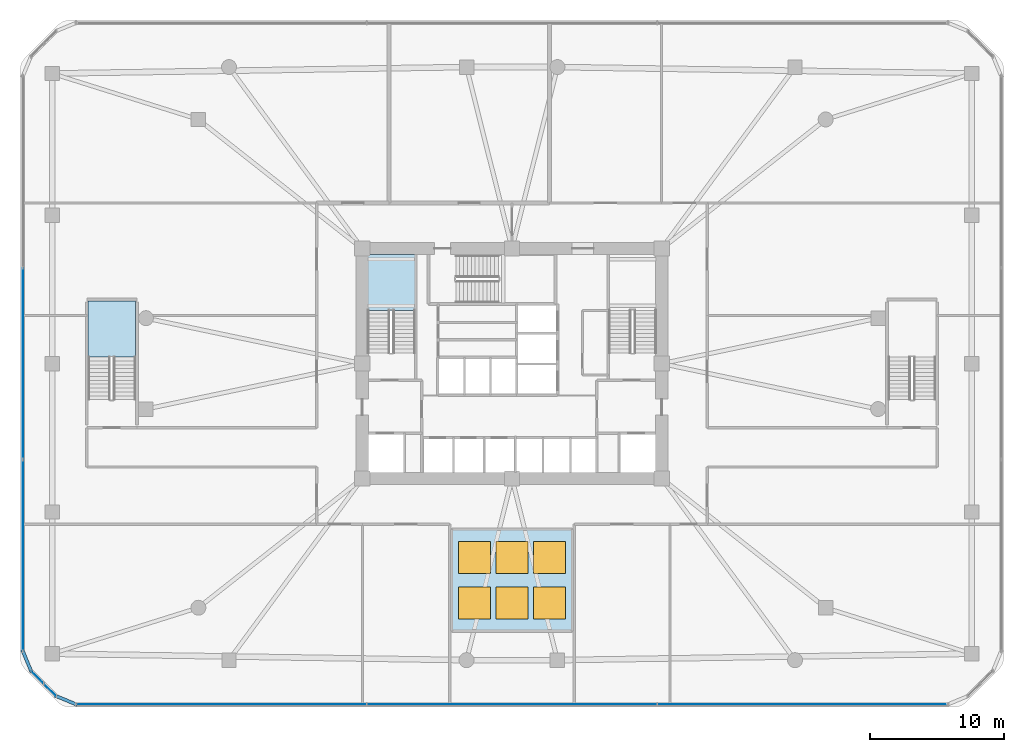
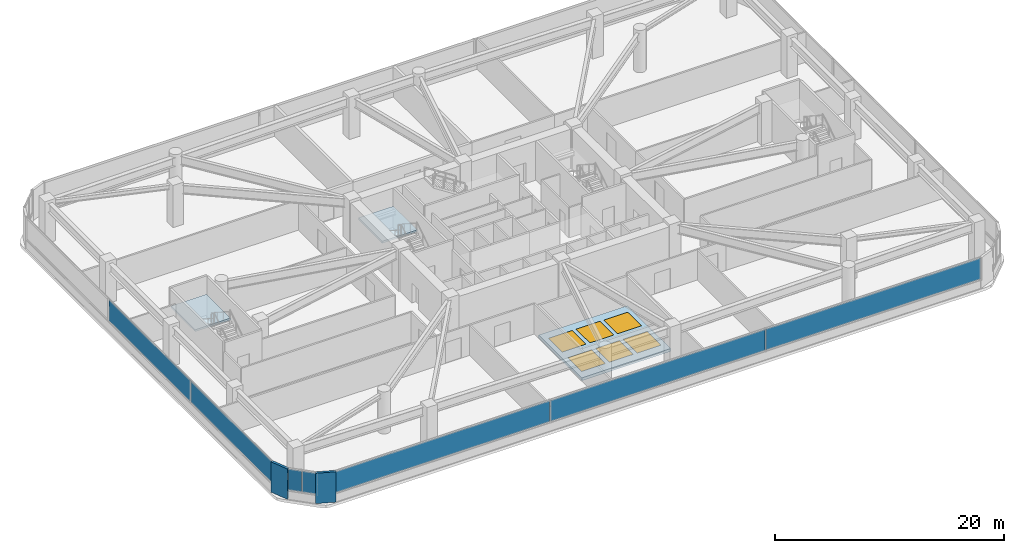
# One storey, part 12 of 21: 9 plates, 6 windows, 3 slabs, 6 openings, 5 elements without a shape of their own.
"""IFC4 building model written with IfcOpenShell, lengths in metres."""

from ifc_helpers import new_model, si_unit, derived_unit, direction, frame, origin, origin_2d, place, context, subcontext, project, spatial, polyline, rectangle, outline, extrude, material, layer, layer_set, type_object, element, fill, aggregate, save


model = new_model("IFC4")

# Units and contexts
model_context = context("Model", 3, precision=1e-05, world=origin(), true_north=direction((0.0, 1.0)))
body_context = subcontext(model_context, "Body", "Model", "MODEL_VIEW")
ifc_project = project(units=[si_unit("LENGTHUNIT", "METRE"), si_unit("AREAUNIT", "SQUARE_METRE"), si_unit("VOLUMEUNIT", "CUBIC_METRE"), si_unit("PLANEANGLEUNIT", "RADIAN"), si_unit("MASSUNIT", "GRAM", prefix="KILO"), derived_unit("THERMALTRANSMITTANCEUNIT", [(si_unit("POWERUNIT", "WATT"), 1), (si_unit("LENGTHUNIT", "METRE"), -2), (si_unit("THERMODYNAMICTEMPERATUREUNIT", "KELVIN"), -1)])], contexts=[model_context])

# Site, building, storey
site_placement = place(None, origin())
site = spatial("IfcSite", under=ifc_project, at=site_placement, CompositionType="ELEMENT")
building_placement = place(site_placement, origin())
building = spatial("IfcBuilding", under=site, at=building_placement, Name="Koralith Skygarden Medical Center", CompositionType="ELEMENT")
storey_placement = place(building_placement, frame((0.0, 0.0, 9.89990234375)))
storey = spatial("IfcBuildingStorey", under=building, at=storey_placement, Name="L02", CompositionType="ELEMENT", Elevation=9.89990234375)

# Curtain wall, plates
ifc_material_1 = material(Name="Clear Laminated Glass", Category="glass")
curtain_wall_type = type_object("IfcCurtainWallType", Name="CW-1 Transit & Podium Acoustic Curtain Wall", PredefinedType="NOTDEFINED", material=ifc_material_1)
curtain_wall_1_placement = place(storey_placement, origin())
curtain_wall_1 = element("IfcCurtainWall", 1, at=curtain_wall_1_placement, inside=storey, type_object=curtain_wall_type, Name="Curtain Wall CW-L02-S", PredefinedType="NOTDEFINED")
ifc_layer_1 = layer(ifc_material_1, 0.030029296875)
ifc_layer_set_1 = layer_set([ifc_layer_1], Name="Clear Laminated Glass")
plate_type_1 = type_object("IfcPlateType", Name="CW-1 Hurricane Laminated IGU Panel 30", PredefinedType="CURTAIN_PANEL", material=ifc_layer_set_1)
plate_1_placement = place(storey_placement, frame((15.2529296875, 0.419921875, 0.920166015625), z_axis=(0.0, 0.0, 1.0), x_axis=(1.0, 0.0, 0.0)))
plate_1 = element("IfcPlate", 2, at=plate_1_placement, type_object=plate_type_1, Name="CW-L02-S Glazed Panel 1", PredefinedType="CURTAIN_PANEL", context=body_context, shape_type="SweptSolid", body=[
    extrude(rectangle(XDim=21.656982421875, YDim=0.030029296875, at=origin_2d()), origin(), (0.0, 0.0, 1.0), 2.25),
])
plate_2_placement = place(storey_placement, frame((37.0, 0.419921875, 0.920166015625), z_axis=(0.0, 0.0, 1.0), x_axis=(1.0, 0.0, 0.0)))
plate_2 = element("IfcPlate", 3, at=plate_2_placement, type_object=plate_type_1, Name="CW-L02-S Glazed Panel 2", PredefinedType="CURTAIN_PANEL", context=body_context, shape_type="SweptSolid", body=[
    extrude(rectangle(XDim=21.656982421875, YDim=0.030029296875, at=origin_2d()), origin(), (0.0, 0.0, 1.0), 2.25),
])
plate_3_placement = place(storey_placement, frame((58.7470703125, 0.419921875, 0.920166015625), z_axis=(0.0, 0.0, 1.0), x_axis=(1.0, 0.0, 0.0)))
plate_3 = element("IfcPlate", 4, at=plate_3_placement, type_object=plate_type_1, Name="CW-L02-S Glazed Panel 3", PredefinedType="CURTAIN_PANEL", context=body_context, shape_type="SweptSolid", body=[
    extrude(rectangle(XDim=21.656982421875, YDim=0.030029296875, at=origin_2d()), origin(), (0.0, 0.0, 1.0), 2.25),
])
aggregate(curtain_wall_1, [plate_1, plate_2, plate_3])

curtain_wall_2_placement = place(storey_placement, origin())
curtain_wall_2 = element("IfcCurtainWall", 5, at=curtain_wall_2_placement, inside=storey, type_object=curtain_wall_type, Name="Curtain Wall CW-L02-W", PredefinedType="NOTDEFINED")
plate_4_placement = place(storey_placement, frame((0.419921875, 25.89990234375, 0.920166015625), z_axis=(0.0, 0.0, 1.0), x_axis=(0.0, -1.0, 0.0)))
plate_4 = element("IfcPlate", 6, at=plate_4_placement, type_object=plate_type_1, Name="CW-L02-W Glazed Panel 2", PredefinedType="CURTAIN_PANEL", context=body_context, shape_type="SweptSolid", body=[
    extrude(rectangle(XDim=14.257080078125, YDim=0.030029296875, at=origin_2d()), origin(), (0.0, 0.0, 1.0), 2.25),
])
plate_5_placement = place(storey_placement, frame((0.419921875, 11.552978515625, 0.920166015625), z_axis=(0.0, 0.0, 1.0), x_axis=(0.0, -1.0, 0.0)))
plate_5 = element("IfcPlate", 7, at=plate_5_placement, type_object=plate_type_1, Name="CW-L02-W Glazed Panel 3", PredefinedType="CURTAIN_PANEL", context=body_context, shape_type="SweptSolid", body=[
    extrude(rectangle(XDim=14.257080078125, YDim=0.030029296875, at=origin_2d()), origin(), (0.0, 0.0, 1.0), 2.25),
])
aggregate(curtain_wall_2, [plate_4, plate_5])

curtain_wall_3_placement = place(storey_placement, origin())
curtain_wall_3 = element("IfcCurtainWall", 8, at=curtain_wall_3_placement, inside=storey, type_object=curtain_wall_type, Name="Curtain Wall CW-L02-SW", PredefinedType="NOTDEFINED")
plate_6_placement = place(storey_placement, frame((1.498046875, 2.450927734375, 0.920166015625), z_axis=(0.0, 0.0, 1.0), x_axis=(0.707106781187, -0.707106781187, 0.0)))
plate_6 = element("IfcPlate", 9, at=plate_6_placement, type_object=plate_type_1, Name="CW-L02-SW Glazed Panel 1", PredefinedType="CURTAIN_PANEL", context=body_context, shape_type="SweptSolid", body=[
    extrude(rectangle(XDim=1.258056640625, YDim=0.030029296875, at=origin_2d()), origin(), (0.0, 0.0, 1.0), 2.25),
])
plate_7_placement = place(storey_placement, frame((2.450927734375, 1.498046875, 0.920166015625), z_axis=(0.0, 0.0, 1.0), x_axis=(0.707106781187, -0.707106781187, 0.0)))
plate_7 = element("IfcPlate", 10, at=plate_7_placement, type_object=plate_type_1, Name="CW-L02-SW Glazed Panel 2", PredefinedType="CURTAIN_PANEL", context=body_context, shape_type="SweptSolid", body=[
    extrude(rectangle(XDim=1.258056640625, YDim=0.030029296875, at=origin_2d()), origin(), (0.0, 0.0, 1.0), 2.25),
])
aggregate(curtain_wall_3, [plate_6, plate_7])

# Stair, slab
ifc_material_2 = material(Name="Concrete C45/55", Category="concrete")
stair_type = type_object("IfcStairType", Name="Core Exit Dogleg Concrete Stair", PredefinedType="HALF_TURN_STAIR", material=ifc_material_2)
stair_1_placement = place(storey_placement, origin())
stair_1 = element("IfcStair", 11, at=stair_1_placement, inside=storey, type_object=stair_type, Name="L02 Smokeproof Exit Stair ST1", PredefinedType="HALF_TURN_STAIR")
ifc_layer_2 = layer(ifc_material_2, 0.199951171875)
ifc_layer_set_2 = layer_set([ifc_layer_2], Name="Concrete C45/55")
slab_type_1 = type_object("IfcSlabType", Name="Core Exit Concrete Stair Landing 200", PredefinedType="LANDING", material=ifc_layer_set_2)
slab_1_placement = place(storey_placement, frame((0.0, 0.0, 2.050048828125)))
slab_1 = element("IfcSlab", 12, at=slab_1_placement, type_object=slab_type_1, Name="ST1 landing 1", PredefinedType="LANDING", context=body_context, shape_type="SweptSolid", body=[
    extrude(outline(polyline([(29.75, 29.889892578125), (29.75, 34.050048828125), (26.199951171875, 34.050048828125), (26.199951171875, 29.889892578125), (29.75, 29.889892578125)])), origin(), (0.0, 0.0, 1.0), 0.199951171875),
])
aggregate(stair_1, [slab_1])

stair_2_placement = place(storey_placement, origin())
stair_2 = element("IfcStair", 13, at=stair_2_placement, inside=storey, type_object=stair_type, Name="L02 Podium Smokeproof Exit Stair ST4", PredefinedType="HALF_TURN_STAIR")
slab_2_placement = place(storey_placement, frame((0.0, 0.0, 2.050048828125)))
slab_2 = element("IfcSlab", 14, at=slab_2_placement, type_object=slab_type_1, Name="ST4 landing 1", PredefinedType="LANDING", context=body_context, shape_type="SweptSolid", body=[
    extrude(outline(polyline([(8.85009765625, 26.389892578125), (8.85009765625, 30.60009765625), (5.300048828125, 30.60009765625), (5.300048828125, 26.389892578125), (8.85009765625, 26.389892578125)])), origin(), (0.0, 0.0, 1.0), 0.199951171875),
])
aggregate(stair_2, [slab_2])

# Slab, openings, windows
ifc_layer_3 = layer(ifc_material_2, 0.300048828125)
ifc_layer_set_3 = layer_set([ifc_layer_3], Name="Concrete C45/55")
slab_type_2 = type_object("IfcSlabType", Name="Crown Canopy Insulated Roof Slab 300", PredefinedType="ROOF", material=ifc_layer_set_3)
slab_3_placement = place(storey_placement, frame((0.0, 0.0, -0.2998046875)))
slab_3 = element("IfcSlab", 15, at=slab_3_placement, inside=storey, type_object=slab_type_2, Name="Podium Entrance Atrium Skylight Roof Slab", PredefinedType="ROOF", context=body_context, shape_type="SweptSolid", body=[
    extrude(outline(polyline([(32.52001953125, 5.919921875), (41.47998046875, 5.919921875), (41.47998046875, 13.47998046875), (32.52001953125, 13.47998046875), (32.52001953125, 5.919921875)])), origin(), (0.0, 0.0, 1.0), 0.2998046875),
])
opening_1_placement = place(slab_3_placement, frame((34.199951171875, 8.0, -0.010009765625)))
opening_1 = element("IfcOpeningElement", 16, at=opening_1_placement, cuts=slab_3, Name="Opening SK-01", PredefinedType="OPENING", context=body_context, shape_type="SweptSolid", body=[
    extrude(rectangle(XDim=2.39990234375, YDim=2.39990234375, at=origin_2d()), origin(), (0.0, 0.0, 1.0), 0.31982421875),
])
opening_2_placement = place(slab_3_placement, frame((34.199951171875, 11.39990234375, -0.010009765625)))
opening_2 = element("IfcOpeningElement", 17, at=opening_2_placement, cuts=slab_3, Name="Opening SK-01", PredefinedType="OPENING", context=body_context, shape_type="SweptSolid", body=[
    extrude(rectangle(XDim=2.39990234375, YDim=2.39990234375, at=origin_2d()), origin(), (0.0, 0.0, 1.0), 0.31982421875),
])
opening_3_placement = place(slab_3_placement, frame((37.0, 8.0, -0.010009765625)))
opening_3 = element("IfcOpeningElement", 18, at=opening_3_placement, cuts=slab_3, Name="Opening SK-01", PredefinedType="OPENING", context=body_context, shape_type="SweptSolid", body=[
    extrude(rectangle(XDim=2.39990234375, YDim=2.39990234375, at=origin_2d()), origin(), (0.0, 0.0, 1.0), 0.31982421875),
])
opening_4_placement = place(slab_3_placement, frame((37.0, 11.39990234375, -0.010009765625)))
opening_4 = element("IfcOpeningElement", 19, at=opening_4_placement, cuts=slab_3, Name="Opening SK-01", PredefinedType="OPENING", context=body_context, shape_type="SweptSolid", body=[
    extrude(rectangle(XDim=2.39990234375, YDim=2.39990234375, at=origin_2d()), origin(), (0.0, 0.0, 1.0), 0.31982421875),
])
opening_5_placement = place(slab_3_placement, frame((39.800048828125, 8.0, -0.010009765625)))
opening_5 = element("IfcOpeningElement", 20, at=opening_5_placement, cuts=slab_3, Name="Opening SK-01", PredefinedType="OPENING", context=body_context, shape_type="SweptSolid", body=[
    extrude(rectangle(XDim=2.39990234375, YDim=2.39990234375, at=origin_2d()), origin(), (0.0, 0.0, 1.0), 0.31982421875),
])
opening_6_placement = place(slab_3_placement, frame((39.800048828125, 11.39990234375, -0.010009765625)))
opening_6 = element("IfcOpeningElement", 21, at=opening_6_placement, cuts=slab_3, Name="Opening SK-01", PredefinedType="OPENING", context=body_context, shape_type="SweptSolid", body=[
    extrude(rectangle(XDim=2.39990234375, YDim=2.39990234375, at=origin_2d()), origin(), (0.0, 0.0, 1.0), 0.31982421875),
])
window_type = type_object("IfcWindowType", Name="Podium Atrium Laminated Skylight SK-01 2400x2400", PartitioningType="SINGLE_PANEL", PredefinedType="SKYLIGHT", material=ifc_material_1)
window_1_placement = place(opening_1_placement, frame((0.0, 0.0, 0.289794921875)))
window_1 = element("IfcWindow", 22, at=window_1_placement, inside=storey, type_object=window_type, Name="Podium Entrance Atrium Skylight 1", OverallHeight=2.39990234375, OverallWidth=2.39990234375, PartitioningType="SINGLE_PANEL", PredefinedType="SKYLIGHT", context=body_context, shape_type="SweptSolid", body=[
    extrude(rectangle(XDim=2.39990234375, YDim=2.39990234375, at=origin_2d()), origin(), (0.0, 0.0, 1.0), 0.02001953125),
])
fill(opening_1, window_1)
window_2_placement = place(opening_2_placement, frame((0.0, 0.0, 0.289794921875)))
window_2 = element("IfcWindow", 23, at=window_2_placement, inside=storey, type_object=window_type, Name="Podium Entrance Atrium North Skylight 1", OverallHeight=2.39990234375, OverallWidth=2.39990234375, PartitioningType="SINGLE_PANEL", PredefinedType="SKYLIGHT", context=body_context, shape_type="SweptSolid", body=[
    extrude(rectangle(XDim=2.39990234375, YDim=2.39990234375, at=origin_2d()), origin(), (0.0, 0.0, 1.0), 0.02001953125),
])
fill(opening_2, window_2)
window_3_placement = place(opening_3_placement, frame((0.0, 0.0, 0.289794921875)))
window_3 = element("IfcWindow", 24, at=window_3_placement, inside=storey, type_object=window_type, Name="Podium Entrance Atrium Skylight 2", OverallHeight=2.39990234375, OverallWidth=2.39990234375, PartitioningType="SINGLE_PANEL", PredefinedType="SKYLIGHT", context=body_context, shape_type="SweptSolid", body=[
    extrude(rectangle(XDim=2.39990234375, YDim=2.39990234375, at=origin_2d()), origin(), (0.0, 0.0, 1.0), 0.02001953125),
])
fill(opening_3, window_3)
window_4_placement = place(opening_4_placement, frame((0.0, 0.0, 0.289794921875)))
window_4 = element("IfcWindow", 25, at=window_4_placement, inside=storey, type_object=window_type, Name="Podium Entrance Atrium North Skylight 2", OverallHeight=2.39990234375, OverallWidth=2.39990234375, PartitioningType="SINGLE_PANEL", PredefinedType="SKYLIGHT", context=body_context, shape_type="SweptSolid", body=[
    extrude(rectangle(XDim=2.39990234375, YDim=2.39990234375, at=origin_2d()), origin(), (0.0, 0.0, 1.0), 0.02001953125),
])
fill(opening_4, window_4)
window_5_placement = place(opening_5_placement, frame((0.0, 0.0, 0.289794921875)))
window_5 = element("IfcWindow", 26, at=window_5_placement, inside=storey, type_object=window_type, Name="Podium Entrance Atrium Skylight 3", OverallHeight=2.39990234375, OverallWidth=2.39990234375, PartitioningType="SINGLE_PANEL", PredefinedType="SKYLIGHT", context=body_context, shape_type="SweptSolid", body=[
    extrude(rectangle(XDim=2.39990234375, YDim=2.39990234375, at=origin_2d()), origin(), (0.0, 0.0, 1.0), 0.02001953125),
])
fill(opening_5, window_5)
window_6_placement = place(opening_6_placement, frame((0.0, 0.0, 0.289794921875)))
window_6 = element("IfcWindow", 27, at=window_6_placement, inside=storey, type_object=window_type, Name="Podium Entrance Atrium North Skylight 3", OverallHeight=2.39990234375, OverallWidth=2.39990234375, PartitioningType="SINGLE_PANEL", PredefinedType="SKYLIGHT", context=body_context, shape_type="SweptSolid", body=[
    extrude(rectangle(XDim=2.39990234375, YDim=2.39990234375, at=origin_2d()), origin(), (0.0, 0.0, 1.0), 0.02001953125),
])
fill(opening_6, window_6)

# Plates
ifc_material_3 = material(Name="Warm Oolitic Limestone Cladding", Category="masonry")
ifc_layer_4 = layer(ifc_material_3, 0.239990234375)
ifc_layer_set_4 = layer_set([ifc_layer_4], Name="Warm Oolitic Limestone Cladding")
plate_type_2 = type_object("IfcPlateType", Name="Rounded-Corner Oolitic Limestone Cladding Panel 240", PredefinedType="USERDEFINED", material=ifc_layer_set_4)
for number, where, z_axis, x_axis, name in (
    (28, (0.719970703125, 3.653076171875, 0.0), (0.0, 0.0, 1.0), (0.382670532536, -0.92388487569, 0.0), "L02 Rounded-Corner Limestone Pier 7"),
    (29, (3.653076171875, 0.719970703125, 0.0), (0.0, 0.0, 1.0), (0.92388487569, -0.382670532536, 0.0), "L02 Rounded-Corner Limestone Pier 8"),
):
    element("IfcPlate", number, at=place(storey_placement, frame(where, z_axis=z_axis, x_axis=x_axis)), inside=storey, type_object=plate_type_2, Name=name, ObjectType="LIMESTONE CLADDING", PredefinedType="USERDEFINED", context=body_context, shape_type="SweptSolid", body=[
        extrude(rectangle(XDim=1.81103515625, YDim=0.239990234375, at=origin_2d()), origin(), (0.0, 0.0, 1.0), 3.239990234375),
    ])

save(model, "model.ifc")
